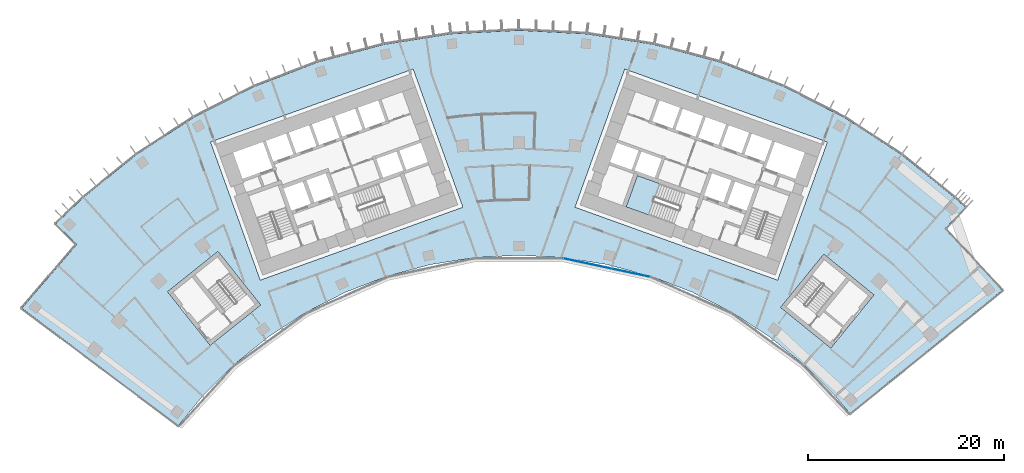
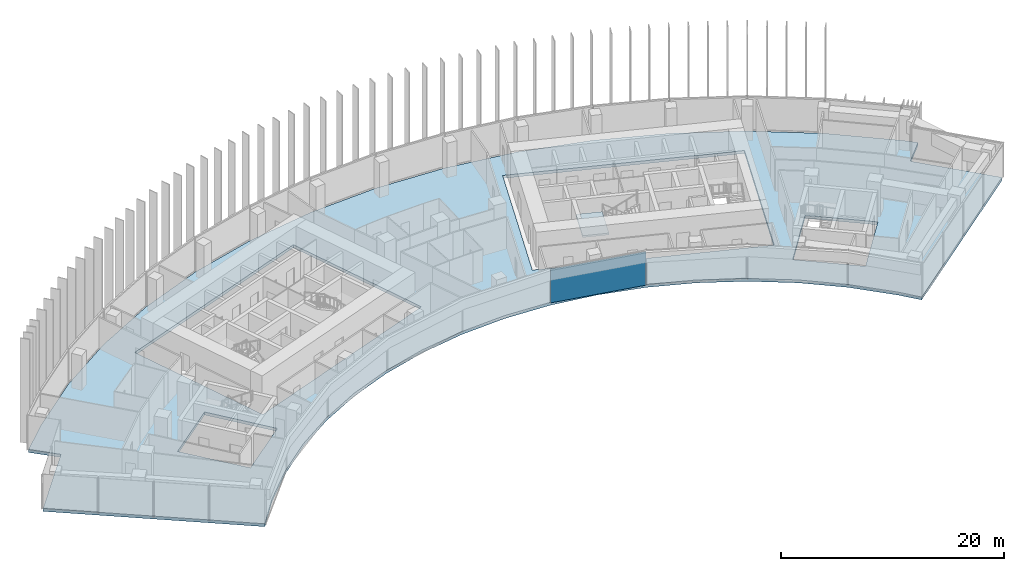
# One storey, part 13 of 23: 2 slabs, 1 plate, 2 elements without a shape of their own.
"""IFC4 building model written with IfcOpenShell, lengths in metres."""

from ifc_helpers import new_model, si_unit, direction, frame, origin, origin_2d, place, context, subcontext, project, spatial, polyline, rectangle, outline, extrude, material, layer, layer_set, type_object, element, aggregate, save


model = new_model("IFC4")

# Units and contexts
model_context = context("Model", 3, precision=1e-05, world=origin(), true_north=direction((0.0, 1.0)))
body_context = subcontext(model_context, "Body", "Model", "MODEL_VIEW")
ifc_project = project(units=[si_unit("LENGTHUNIT", "METRE"), si_unit("AREAUNIT", "SQUARE_METRE"), si_unit("VOLUMEUNIT", "CUBIC_METRE"), si_unit("PLANEANGLEUNIT", "RADIAN"), si_unit("MASSUNIT", "GRAM", prefix="KILO")], contexts=[model_context])

# Site, building, storey
site_placement = place(None, origin())
site = spatial("IfcSite", under=ifc_project, at=site_placement, CompositionType="ELEMENT")
building_placement = place(site_placement, origin())
building = spatial("IfcBuilding", under=site, at=building_placement, Name="Stone Belt Terrace Tower", CompositionType="ELEMENT")
storey_placement = place(building_placement, frame((0.0, 0.0, 166.800048828125)))
storey = spatial("IfcBuildingStorey", under=building, at=storey_placement, Name="L40", CompositionType="ELEMENT", Elevation=166.800048828125)

# Curtain wall, plate
ifc_material_1 = material(Name="Aluminium 6063-T6 anodised frame", Category="aluminium")
ifc_layer_1 = layer(ifc_material_1, 0.14990234375)
ifc_layer_set_1 = layer_set([ifc_layer_1], Name="CW-B unitised concave-face curtain wall")
curtain_wall_type = type_object("IfcCurtainWallType", Name="CW-B unitised concave-face curtain wall", PredefinedType="NOTDEFINED", material=ifc_layer_set_1)
curtain_wall_placement = place(storey_placement, origin())
curtain_wall = element("IfcCurtainWall", 1, at=curtain_wall_placement, inside=storey, type_object=curtain_wall_type, Name="CW-B concave face L40", PredefinedType="NOTDEFINED")
ifc_material_2 = material(Name="Clear double glazed unit")
ifc_layer_2 = layer(ifc_material_2, 0.030029296875)
ifc_layer_set_2 = layer_set([ifc_layer_2], Name="CW-B glass panel 30")
plate_type = type_object("IfcPlateType", Name="CW-B glass panel 30", PredefinedType="CURTAIN_PANEL", material=ifc_layer_set_2)
plate_placement = place(storey_placement, frame((8.97900390625, 42.242919921875, 0.0), z_axis=(0.0, 0.0, 1.0), x_axis=(0.978147600734, -0.207911690818, 0.0)))
plate = element("IfcPlate", 2, at=plate_placement, type_object=plate_type, Name="CW-B panel 6.1", PredefinedType="CURTAIN_PANEL", context=body_context, shape_type="SweptSolid", body=[
    extrude(rectangle(XDim=9.0126953125, YDim=0.030029296875, at=origin_2d()), origin(), (0.0, 0.0, 1.0), 3.679931640625),
])
aggregate(curtain_wall, [plate])

# Slab
ifc_material_3 = material(Name="Concrete B40", Category="concrete")
ifc_layer_3 = layer(ifc_material_3, 0.320068359375)
ifc_layer_set_3 = layer_set([ifc_layer_3], Name="Floor slab 320 B40")
slab_type_1 = type_object("IfcSlabType", Name="Floor slab 320 B40", PredefinedType="FLOOR", material=ifc_layer_set_3)
slab_1_placement = place(storey_placement, frame((0.0, 0.0, -0.320068359375)))
element("IfcSlab", 3, at=slab_1_placement, inside=storey, type_object=slab_type_1, Name="Floor slab L40", PredefinedType="FLOOR", context=body_context, shape_type="SweptSolid", body=[
    extrude(outline(polyline([(-44.497314453125, 49.419189453125), (-39.087646484375, 53.799560546875), (-33.25, 57.5908203125), (-27.048095703125, 60.750732421875), (-20.549560546875, 63.245361328125), (-13.826171875, 65.046875), (-6.951171875, 66.1357421875), (0.0, 66.5), (6.951171875, 66.1357421875), (13.826171875, 65.046875), (20.549560546875, 63.245361328125), (27.048095703125, 60.750732421875), (33.25, 57.5908203125), (39.087646484375, 53.799560546875), (44.497314453125, 49.419189453125), (45.599365234375, 48.404052734375), (43.542236328125, 46.220458984375), (49.38037109375, 39.9228515625), (33.827392578125, 27.3486328125), (32.326904296875, 29.107177734375), (29.107177734375, 32.326904296875), (25.568603515625, 35.192138671875), (21.75, 37.672119140625), (17.693115234375, 39.7392578125), (13.442138671875, 41.37109375), (9.044189453125, 42.54931640625), (4.547119140625, 43.26171875), (0.0, 43.5), (-4.547119140625, 43.26171875), (-9.044189453125, 42.54931640625), (-13.442138671875, 41.37109375), (-17.693115234375, 39.7392578125), (-21.75, 37.672119140625), (-25.568603515625, 35.192138671875), (-29.107177734375, 32.326904296875), (-32.326904296875, 29.107177734375), (-34.79931640625, 26.100830078125), (-50.799072265625, 38.10107421875), (-45.19384765625, 44.606689453125), (-47.328857421875, 46.714111328125), (-44.497314453125, 49.419189453125)]), holes=[polyline([(-26.434814453125, 40.968994140625), (-5.734619140625, 48.418701171875), (-10.81396484375, 62.532470703125), (-31.51416015625, 55.082763671875), (-26.434814453125, 40.968994140625)]), polyline([(10.81396484375, 62.532470703125), (5.734619140625, 48.418701171875), (26.434814453125, 40.968994140625), (31.51416015625, 55.082763671875), (10.81396484375, 62.532470703125)]), polyline([(-35.91796875, 39.787353515625), (-31.55615234375, 34.3125), (-26.39404296875, 38.425048828125), (-30.756103515625, 43.89990234375), (-35.91796875, 39.787353515625)]), polyline([(36.2783203125, 39.459228515625), (31.15380859375, 43.61865234375), (26.742431640625, 38.18359375), (31.86669921875, 34.024169921875), (36.2783203125, 39.459228515625)])]), origin(), (0.0, 0.0, 1.0), 0.320068359375),
])

# Stair, slab
stair_type = type_object("IfcStairType", Name="Exit stair 1500", PredefinedType="HALF_TURN_STAIR", material=ifc_material_3)
stair_placement = place(storey_placement, origin())
stair = element("IfcStair", 4, at=stair_placement, inside=storey, type_object=stair_type, Name="L40 Exit stair 2 core B", PredefinedType="HALF_TURN_STAIR")
ifc_layer_4 = layer(ifc_material_3, 0.199951171875)
ifc_layer_set_4 = layer_set([ifc_layer_4], Name="Stair landing 200")
slab_type_2 = type_object("IfcSlabType", Name="Stair landing 200", PredefinedType="LANDING", material=ifc_layer_set_4)
slab_2_placement = place(storey_placement, frame((0.0, 0.0, 1.699951171875)))
slab_2 = element("IfcSlab", 5, at=slab_2_placement, type_object=slab_type_2, Name="ST2B landing 1", PredefinedType="LANDING", context=body_context, shape_type="SweptSolid", body=[
    extrude(outline(polyline([(14.36474609375, 50.839111328125), (12.10595703125, 51.652099609375), (10.95458984375, 48.453125), (13.213623046875, 47.64013671875), (14.36474609375, 50.839111328125)])), origin(), (0.0, 0.0, 1.0), 0.199951171875),
])
aggregate(stair, [slab_2])

save(model, "model.ifc")
